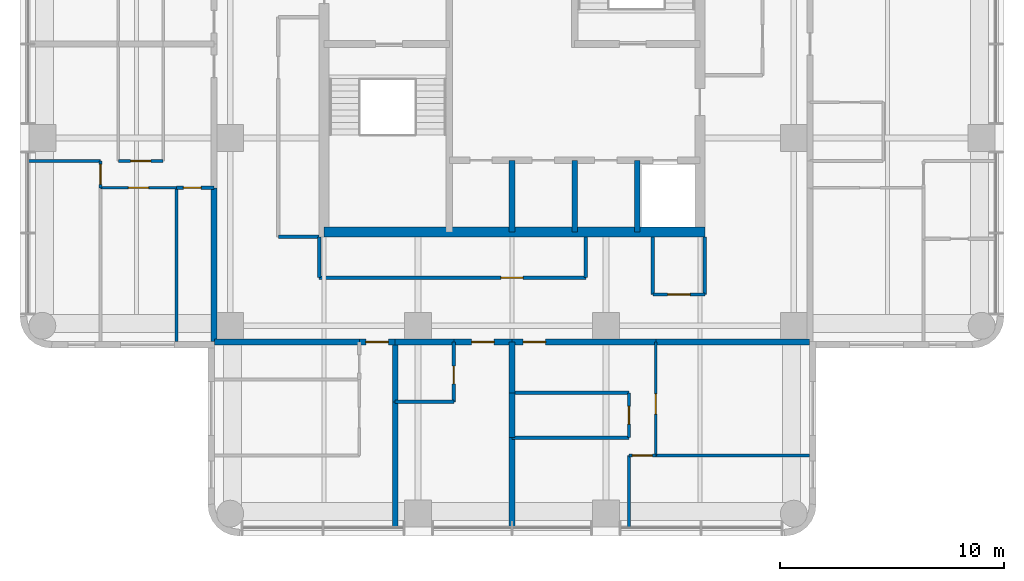
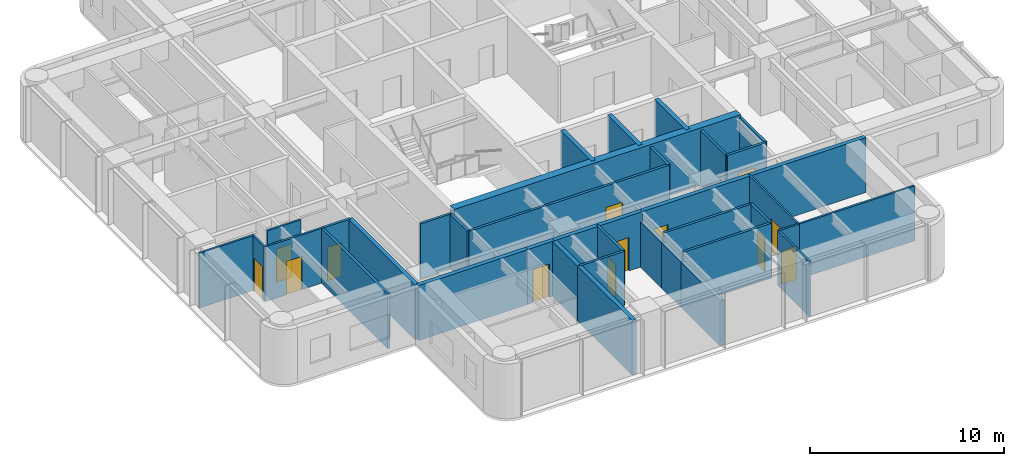
# One storey, part 4 of 9: 38 walls, 13 doors, 13 openings.
"""IFC4 building model written with IfcOpenShell, lengths in metres."""

from ifc_helpers import new_model, si_unit, direction, frame, frame_2d, origin, place, context, subcontext, project, spatial, rectangle, extrude, material, layer, layer_set, type_object, element, fill, save


model = new_model("IFC4")

# Units and contexts
model_context = context("Model", 3, precision=1e-05, world=origin(), true_north=direction((0.0, 1.0)))
body_context = subcontext(model_context, "Body", "Model", "MODEL_VIEW")
ifc_project = project(units=[si_unit("LENGTHUNIT", "METRE"), si_unit("AREAUNIT", "SQUARE_METRE"), si_unit("VOLUMEUNIT", "CUBIC_METRE"), si_unit("PLANEANGLEUNIT", "RADIAN"), si_unit("MASSUNIT", "GRAM", prefix="KILO")], contexts=[model_context])

# Site, building, storey
site_placement = place(None, origin())
site = spatial("IfcSite", under=ifc_project, at=site_placement, CompositionType="ELEMENT")
building_placement = place(site_placement, origin())
building = spatial("IfcBuilding", under=site, at=building_placement, Name="Torre Alcanfor", CompositionType="ELEMENT")
storey_placement = place(building_placement, frame((0.0, 0.0, 268.5)))
storey = spatial("IfcBuildingStorey", under=building, at=storey_placement, Name="L70", CompositionType="ELEMENT", Elevation=268.5)

# Wall, opening, door
ifc_material_1 = material(Name="Concrete block masonry, hollow blocks NMX-C-404 9 MPa", Category="masonry")
ifc_layer_1 = layer(ifc_material_1, 0.25)
ifc_layer_set_1 = layer_set([ifc_layer_1], Name="Apartment entrance wall 250 EI 60")
wall_type_1 = type_object("IfcWallType", Name="Apartment entrance wall 250 EI 60", PredefinedType="PARTITIONING", material=ifc_layer_set_1)
wall_1_placement = place(storey_placement, frame((35.8291015625, 16.074951171875, 0.0), z_axis=(0.0, 0.0, 1.0), x_axis=(-1.0, 0.0, 0.0)))
wall_1 = element("IfcWall", 1, at=wall_1_placement, inside=storey, type_object=wall_type_1, Name="Partition L70-CORR / L70-S1-LIVING", PredefinedType="PARTITIONING", context=body_context, shape_type="SweptSolid", body=[
    extrude(rectangle(XDim=6.42919921875, YDim=0.25, at=frame_2d((3.214599609375, 0.0))), origin(), (0.0, 0.0, 1.0), 3.449951171875),
])
opening_1_placement = place(wall_1_placement, frame((4.928955078125, 0.0, 0.0)))
opening_1 = element("IfcOpeningElement", 2, at=opening_1_placement, cuts=wall_1, Name="Opening D-A1", PredefinedType="OPENING", context=body_context, shape_type="SweptSolid", body=[
    extrude(rectangle(XDim=1.0, YDim=2.10009765625, at=frame_2d((0.5, 1.050048828125))), frame((0.0, 0.135009765625, 0.0), z_axis=(0.0, -1.0, 0.0), x_axis=(1.0, 0.0, 0.0)), (0.0, 0.0, 1.0), 0.27001953125),
])
ifc_material_2 = material(Name="Galvanised steel sheet ASTM A653", Category="steel")
door_type_1 = type_object("IfcDoorType", Name="Apartment entrance door FD60 1000x2100", OperationType="SINGLE_SWING_LEFT", PredefinedType="DOOR", material=ifc_material_2)
door_1_placement = place(opening_1_placement, origin())
door_1 = element("IfcDoor", 3, at=door_1_placement, inside=storey, type_object=door_type_1, Name="Apartment entrance L70-S1", OperationType="SINGLE_SWING_RIGHT", OverallHeight=2.10009765625, OverallWidth=1.0, PredefinedType="DOOR", context=body_context, shape_type="SweptSolid", body=[
    extrude(rectangle(XDim=1.0, YDim=2.10009765625, at=frame_2d((0.5, 1.050048828125))), frame((0.0, 0.02490234375, 0.0), z_axis=(0.0, -1.0, 0.0), x_axis=(1.0, 0.0, 0.0)), (0.0, 0.0, 1.0), 0.050048828125),
])
fill(opening_1, door_1)

# Wall
wall_2_placement = place(storey_placement, frame((42.699951171875, 16.074951171875, 0.0), z_axis=(0.0, 0.0, 1.0), x_axis=(-1.0, 0.0, 0.0)))
element("IfcWall", 4, at=wall_2_placement, inside=storey, type_object=wall_type_1, Name="Partition L70-CORR / L70-S1-BED2", PredefinedType="PARTITIONING", context=body_context, shape_type="SweptSolid", body=[
    extrude(rectangle(XDim=6.870849609375, YDim=0.25, at=frame_2d((3.435546875, 0.0))), origin(), (0.0, 0.0, 1.0), 3.449951171875),
])

# Wall, opening, door
wall_3_placement = place(storey_placement, frame((29.39990234375, 16.074951171875, 0.0), z_axis=(0.0, 0.0, 1.0), x_axis=(-1.0, 0.0, 0.0)))
wall_3 = element("IfcWall", 5, at=wall_3_placement, inside=storey, type_object=wall_type_1, Name="Partition L70-CORR / L70-S2A-STUDIO", PredefinedType="PARTITIONING", context=body_context, shape_type="SweptSolid", body=[
    extrude(rectangle(XDim=2.599853515625, YDim=0.25, at=frame_2d((1.2998046875, 0.0))), origin(), (0.0, 0.0, 1.0), 3.449951171875),
])
opening_2_placement = place(wall_3_placement, frame((0.800048828125, 0.0, 0.0)))
opening_2 = element("IfcOpeningElement", 6, at=opening_2_placement, cuts=wall_3, Name="Opening D-A1", PredefinedType="OPENING", context=body_context, shape_type="SweptSolid", body=[
    extrude(rectangle(XDim=1.0, YDim=2.10009765625, at=frame_2d((0.5, 1.050048828125))), frame((0.0, 0.135009765625, 0.0), z_axis=(0.0, -1.0, 0.0), x_axis=(1.0, 0.0, 0.0)), (0.0, 0.0, 1.0), 0.27001953125),
])
door_2_placement = place(opening_2_placement, origin())
door_2 = element("IfcDoor", 7, at=door_2_placement, inside=storey, type_object=door_type_1, Name="Apartment entrance L70-S2A", OperationType="SINGLE_SWING_LEFT", OverallHeight=2.10009765625, OverallWidth=1.0, PredefinedType="DOOR", context=body_context, shape_type="SweptSolid", body=[
    extrude(rectangle(XDim=1.0, YDim=2.10009765625, at=frame_2d((0.5, 1.050048828125))), frame((0.0, 0.02490234375, 0.0), z_axis=(0.0, -1.0, 0.0), x_axis=(1.0, 0.0, 0.0)), (0.0, 0.0, 1.0), 0.050048828125),
])
fill(opening_2, door_2)

# Wall
wall_4_placement = place(storey_placement, frame((26.800048828125, 16.074951171875, 0.0), z_axis=(0.0, 0.0, 1.0), x_axis=(-1.0, 0.0, 0.0)))
element("IfcWall", 8, at=wall_4_placement, inside=storey, type_object=wall_type_1, Name="Partition L70-CORR / L70-S2A-BATH", PredefinedType="PARTITIONING", context=body_context, shape_type="SweptSolid", body=[
    extrude(rectangle(XDim=2.629150390625, YDim=0.25, at=frame_2d((1.314453125, 0.0))), origin(), (0.0, 0.0, 1.0), 3.449951171875),
])

# Wall, opening, door
wall_5_placement = place(storey_placement, frame((24.1708984375, 16.074951171875, 0.0), z_axis=(0.0, 0.0, 1.0), x_axis=(-1.0, 0.0, 0.0)))
wall_5 = element("IfcWall", 9, at=wall_5_placement, inside=storey, type_object=wall_type_1, Name="Partition L70-CORR / L70-S2B-LIVING", PredefinedType="PARTITIONING", context=body_context, shape_type="SweptSolid", body=[
    extrude(rectangle(XDim=1.599853515625, YDim=0.25, at=frame_2d((0.7998046875, 0.0))), origin(), (0.0, 0.0, 1.0), 3.449951171875),
])
opening_3_placement = place(wall_5_placement, frame((0.300048828125, 0.0, 0.0)))
opening_3 = element("IfcOpeningElement", 10, at=opening_3_placement, cuts=wall_5, Name="Opening D-A1", PredefinedType="OPENING", context=body_context, shape_type="SweptSolid", body=[
    extrude(rectangle(XDim=1.0, YDim=2.10009765625, at=frame_2d((0.5, 1.050048828125))), frame((0.0, 0.135009765625, 0.0), z_axis=(0.0, -1.0, 0.0), x_axis=(1.0, 0.0, 0.0)), (0.0, 0.0, 1.0), 0.27001953125),
])
door_3_placement = place(opening_3_placement, origin())
door_3 = element("IfcDoor", 11, at=door_3_placement, inside=storey, type_object=door_type_1, Name="Apartment entrance L70-S2B", OperationType="SINGLE_SWING_LEFT", OverallHeight=2.10009765625, OverallWidth=1.0, PredefinedType="DOOR", context=body_context, shape_type="SweptSolid", body=[
    extrude(rectangle(XDim=1.0, YDim=2.10009765625, at=frame_2d((0.5, 1.050048828125))), frame((0.0, 0.02490234375, 0.0), z_axis=(0.0, -1.0, 0.0), x_axis=(1.0, 0.0, 0.0)), (0.0, 0.0, 1.0), 0.050048828125),
])
fill(opening_3, door_3)

# Walls
wall_6_placement = place(storey_placement, frame((22.571044921875, 16.074951171875, 0.0), z_axis=(0.0, 0.0, 1.0), x_axis=(-1.0, 0.0, 0.0)))
element("IfcWall", 12, at=wall_6_placement, inside=storey, type_object=wall_type_1, Name="Partition L70-CORR / L70-S2B-BATH", PredefinedType="PARTITIONING", context=body_context, shape_type="SweptSolid", body=[
    extrude(rectangle(XDim=6.470947265625, YDim=0.25, at=frame_2d((3.2353515625, 0.0))), origin(), (0.0, 0.0, 1.0), 3.449951171875),
])
wall_7_placement = place(storey_placement, frame((16.074951171875, 16.10009765625, 0.0), z_axis=(0.0, 0.0, 1.0), x_axis=(0.0, 1.0, 0.0)))
element("IfcWall", 13, at=wall_7_placement, inside=storey, type_object=wall_type_1, Name="Partition L70-CORR / L70-W1-BATH", PredefinedType="PARTITIONING", context=body_context, shape_type="SweptSolid", body=[
    extrude(rectangle(XDim=6.870849609375, YDim=0.25, at=frame_2d((3.435546875, 0.0))), origin(), (0.0, 0.0, 1.0), 3.449951171875),
])

# Wall, opening, door
ifc_material_3 = material(Name="Gypsum board on steel studs", Category="steel")
ifc_layer_2 = layer(ifc_material_3, 0.1201171875)
ifc_layer_set_2 = layer_set([ifc_layer_2], Name="Apartment partition 120")
wall_type_2 = type_object("IfcWallType", Name="Apartment partition 120", PredefinedType="PARTITIONING", material=ifc_layer_set_2)
wall_8_placement = place(storey_placement, frame((35.8291015625, 16.074951171875, 0.0), z_axis=(0.0, 0.0, 1.0), x_axis=(0.0, -1.0, 0.0)))
wall_8 = element("IfcWall", 14, at=wall_8_placement, inside=storey, type_object=wall_type_2, Name="Partition L70-S1-LIVING / L70-S1-BED2", PredefinedType="PARTITIONING", context=body_context, shape_type="SweptSolid", body=[
    extrude(rectangle(XDim=5.074951171875, YDim=0.1201171875, at=frame_2d((2.53759765625, 0.0))), origin(), (0.0, 0.0, 1.0), 3.449951171875),
])
opening_4_placement = place(wall_8_placement, frame((2.324951171875, 0.0, 0.0)))
opening_4 = element("IfcOpeningElement", 15, at=opening_4_placement, cuts=wall_8, Name="Opening D-R1", PredefinedType="OPENING", context=body_context, shape_type="SweptSolid", body=[
    extrude(rectangle(XDim=0.89990234375, YDim=2.10009765625, at=frame_2d((0.449951171875, 1.050048828125))), frame((0.0, 0.070068359375, 0.0), z_axis=(0.0, -1.0, 0.0), x_axis=(1.0, 0.0, 0.0)), (0.0, 0.0, 1.0), 0.14013671875),
])
ifc_material_4 = material(Name="Timber", Category="wood")
door_type_2 = type_object("IfcDoorType", Name="Internal door 900x2100", OperationType="SINGLE_SWING_LEFT", PredefinedType="DOOR", material=ifc_material_4)
door_4_placement = place(opening_4_placement, origin())
door_4 = element("IfcDoor", 16, at=door_4_placement, inside=storey, type_object=door_type_2, Name="Door L70-S1 bed2", OperationType="SINGLE_SWING_RIGHT", OverallHeight=2.10009765625, OverallWidth=0.89990234375, PredefinedType="DOOR", context=body_context, shape_type="SweptSolid", body=[
    extrude(rectangle(XDim=0.89990234375, YDim=2.10009765625, at=frame_2d((0.449951171875, 1.050048828125))), frame((0.0, 0.02490234375, 0.0), z_axis=(0.0, -1.0, 0.0), x_axis=(1.0, 0.0, 0.0)), (0.0, 0.0, 1.0), 0.050048828125),
])
fill(opening_4, door_4)

wall_9_placement = place(storey_placement, frame((35.8291015625, 11.0, 0.0), z_axis=(0.0, 0.0, 1.0), x_axis=(-1.0, 0.0, 0.0)))
wall_9 = element("IfcWall", 17, at=wall_9_placement, inside=storey, type_object=wall_type_2, Name="Partition L70-S1-LIVING / L70-S1-MASTER", PredefinedType="PARTITIONING", context=body_context, shape_type="SweptSolid", body=[
    extrude(rectangle(XDim=1.2001953125, YDim=0.1201171875, at=frame_2d((0.60009765625, 0.0))), origin(), (0.0, 0.0, 1.0), 3.449951171875),
])
opening_5_placement = place(wall_9_placement, frame((0.14892578125, 0.0, 0.0)))
opening_5 = element("IfcOpeningElement", 18, at=opening_5_placement, cuts=wall_9, Name="Opening D-R1", PredefinedType="OPENING", context=body_context, shape_type="SweptSolid", body=[
    extrude(rectangle(XDim=0.89990234375, YDim=2.10009765625, at=frame_2d((0.449951171875, 1.050048828125))), frame((0.0, 0.070068359375, 0.0), z_axis=(0.0, -1.0, 0.0), x_axis=(1.0, 0.0, 0.0)), (0.0, 0.0, 1.0), 0.14013671875),
])
door_5_placement = place(opening_5_placement, origin())
door_5 = element("IfcDoor", 19, at=door_5_placement, inside=storey, type_object=door_type_2, Name="Door L70-S1 master", OperationType="SINGLE_SWING_RIGHT", OverallHeight=2.10009765625, OverallWidth=0.89990234375, PredefinedType="DOOR", context=body_context, shape_type="SweptSolid", body=[
    extrude(rectangle(XDim=0.89990234375, YDim=2.10009765625, at=frame_2d((0.449951171875, 1.050048828125))), frame((0.0, 0.02490234375, 0.0), z_axis=(0.0, -1.0, 0.0), x_axis=(1.0, 0.0, 0.0)), (0.0, 0.0, 1.0), 0.050048828125),
])
fill(opening_5, door_5)

# Walls
wall_10_placement = place(storey_placement, frame((34.62890625, 11.0, 0.0), z_axis=(0.0, 0.0, 1.0), x_axis=(0.0, -1.0, 0.0)))
element("IfcWall", 20, at=wall_10_placement, inside=storey, type_object=wall_type_2, Name="Partition L70-S1-LIVING / L70-S1-MASTER", PredefinedType="PARTITIONING", context=body_context, shape_type="SweptSolid", body=[
    extrude(rectangle(XDim=3.25, YDim=0.1201171875, at=frame_2d((1.625, 0.0))), origin(), (0.0, 0.0, 1.0), 3.449951171875),
])
wall_11_placement = place(storey_placement, frame((35.8291015625, 11.0, 0.0), z_axis=(0.0, 0.0, 1.0), x_axis=(1.0, 0.0, 0.0)))
element("IfcWall", 21, at=wall_11_placement, inside=storey, type_object=wall_type_2, Name="Partition L70-S1-BED2 / L70-S1-MASTER", PredefinedType="PARTITIONING", context=body_context, shape_type="SweptSolid", body=[
    extrude(rectangle(XDim=6.870849609375, YDim=0.1201171875, at=frame_2d((3.435546875, 0.0))), origin(), (0.0, 0.0, 1.0), 3.449951171875),
])

# Wall, opening, door
wall_12_placement = place(storey_placement, frame((11.800048828125, 24.1708984375, 0.0), z_axis=(0.0, 0.0, 1.0), x_axis=(1.0, 0.0, 0.0)))
wall_12 = element("IfcWall", 22, at=wall_12_placement, inside=storey, type_object=wall_type_2, Name="Partition L70-W1-KITCHEN / L70-W1-LIVING", PredefinedType="PARTITIONING", context=body_context, shape_type="SweptSolid", body=[
    extrude(rectangle(XDim=2.0, YDim=0.1201171875, at=frame_2d((1.0, 0.0))), origin(), (0.0, 0.0, 1.0), 3.449951171875),
])
opening_6_placement = place(wall_12_placement, frame((0.550048828125, 0.0, 0.0)))
opening_6 = element("IfcOpeningElement", 23, at=opening_6_placement, cuts=wall_12, Name="Opening D-R1", PredefinedType="OPENING", context=body_context, shape_type="SweptSolid", body=[
    extrude(rectangle(XDim=0.89990234375, YDim=2.10009765625, at=frame_2d((0.449951171875, 1.050048828125))), frame((0.0, 0.070068359375, 0.0), z_axis=(0.0, -1.0, 0.0), x_axis=(1.0, 0.0, 0.0)), (0.0, 0.0, 1.0), 0.14013671875),
])
door_6_placement = place(opening_6_placement, origin())
door_6 = element("IfcDoor", 24, at=door_6_placement, inside=storey, type_object=door_type_2, Name="Door L70-W1 kitchen", OperationType="SINGLE_SWING_LEFT", OverallHeight=2.10009765625, OverallWidth=0.89990234375, PredefinedType="DOOR", context=body_context, shape_type="SweptSolid", body=[
    extrude(rectangle(XDim=0.89990234375, YDim=2.10009765625, at=frame_2d((0.449951171875, 1.050048828125))), frame((0.0, 0.02490234375, 0.0), z_axis=(0.0, -1.0, 0.0), x_axis=(1.0, 0.0, 0.0)), (0.0, 0.0, 1.0), 0.050048828125),
])
fill(opening_6, door_6)

wall_13_placement = place(storey_placement, frame((14.39990234375, 22.970947265625, 0.0), z_axis=(0.0, 0.0, 1.0), x_axis=(-1.0, 0.0, 0.0)))
wall_13 = element("IfcWall", 25, at=wall_13_placement, inside=storey, type_object=wall_type_2, Name="Partition L70-W1-LIVING / L70-W1-STUDY", PredefinedType="PARTITIONING", context=body_context, shape_type="SweptSolid", body=[
    extrude(rectangle(XDim=3.39990234375, YDim=0.1201171875, at=frame_2d((1.699951171875, 0.0))), origin(), (0.0, 0.0, 1.0), 3.449951171875),
])
opening_7_placement = place(wall_13_placement, frame((1.25, 0.0, 0.0)))
opening_7 = element("IfcOpeningElement", 26, at=opening_7_placement, cuts=wall_13, Name="Opening D-R1", PredefinedType="OPENING", context=body_context, shape_type="SweptSolid", body=[
    extrude(rectangle(XDim=0.89990234375, YDim=2.10009765625, at=frame_2d((0.449951171875, 1.050048828125))), frame((0.0, 0.070068359375, 0.0), z_axis=(0.0, -1.0, 0.0), x_axis=(1.0, 0.0, 0.0)), (0.0, 0.0, 1.0), 0.14013671875),
])
door_7_placement = place(opening_7_placement, origin())
door_7 = element("IfcDoor", 27, at=door_7_placement, inside=storey, type_object=door_type_2, Name="Door L70-W1 study", OperationType="SINGLE_SWING_LEFT", OverallHeight=2.10009765625, OverallWidth=0.89990234375, PredefinedType="DOOR", context=body_context, shape_type="SweptSolid", body=[
    extrude(rectangle(XDim=0.89990234375, YDim=2.10009765625, at=frame_2d((0.449951171875, 1.050048828125))), frame((0.0, 0.02490234375, 0.0), z_axis=(0.0, -1.0, 0.0), x_axis=(1.0, 0.0, 0.0)), (0.0, 0.0, 1.0), 0.050048828125),
])
fill(opening_7, door_7)

wall_14_placement = place(storey_placement, frame((11.0, 22.970947265625, 0.0), z_axis=(0.0, 0.0, 1.0), x_axis=(0.0, 1.0, 0.0)))
wall_14 = element("IfcWall", 28, at=wall_14_placement, inside=storey, type_object=wall_type_2, Name="Partition L70-W1-LIVING / L70-W1-MASTER", PredefinedType="PARTITIONING", context=body_context, shape_type="SweptSolid", body=[
    extrude(rectangle(XDim=1.199951171875, YDim=0.1201171875, at=frame_2d((0.60009765625, 0.0))), origin(), (0.0, 0.0, 1.0), 3.449951171875),
])
opening_8_placement = place(wall_14_placement, frame((0.14892578125, 0.0, 0.0)))
opening_8 = element("IfcOpeningElement", 29, at=opening_8_placement, cuts=wall_14, Name="Opening D-R1", PredefinedType="OPENING", context=body_context, shape_type="SweptSolid", body=[
    extrude(rectangle(XDim=0.89990234375, YDim=2.10009765625, at=frame_2d((0.449951171875, 1.050048828125))), frame((0.0, 0.070068359375, 0.0), z_axis=(0.0, -1.0, 0.0), x_axis=(1.0, 0.0, 0.0)), (0.0, 0.0, 1.0), 0.14013671875),
])
door_8_placement = place(opening_8_placement, origin())
door_8 = element("IfcDoor", 30, at=door_8_placement, inside=storey, type_object=door_type_2, Name="Door L70-W1 master", OperationType="SINGLE_SWING_RIGHT", OverallHeight=2.10009765625, OverallWidth=0.89990234375, PredefinedType="DOOR", context=body_context, shape_type="SweptSolid", body=[
    extrude(rectangle(XDim=0.89990234375, YDim=2.10009765625, at=frame_2d((0.449951171875, 1.050048828125))), frame((0.0, 0.02490234375, 0.0), z_axis=(0.0, -1.0, 0.0), x_axis=(1.0, 0.0, 0.0)), (0.0, 0.0, 1.0), 0.050048828125),
])
fill(opening_8, door_8)

# Walls
wall_15_placement = place(storey_placement, frame((11.0, 24.1708984375, 0.0), z_axis=(0.0, 0.0, 1.0), x_axis=(-1.0, 0.0, 0.0)))
element("IfcWall", 31, at=wall_15_placement, inside=storey, type_object=wall_type_2, Name="Partition L70-W1-LIVING / L70-W1-MASTER", PredefinedType="PARTITIONING", context=body_context, shape_type="SweptSolid", body=[
    extrude(rectangle(XDim=3.25, YDim=0.1201171875, at=frame_2d((1.625, 0.0))), origin(), (0.0, 0.0, 1.0), 3.449951171875),
])
ifc_material_5 = material(Name="Concrete f'c 70 MPa", Category="concrete")
ifc_layer_3 = layer(ifc_material_5, 0.25)
ifc_layer_set_3 = layer_set([ifc_layer_3], Name="Core shaft wall 250 f'c70")
wall_type_3 = type_object("IfcWallType", Name="Core shaft wall 250 f'c70", PredefinedType="SHEAR", material=ifc_layer_set_3)
for number, where, z_axis, x_axis, name in (
    (32, (29.39990234375, 21.0, 0.0), (0.0, 0.0, 1.0), (0.0, 1.0, 0.0), "Core wall X294S L70"),
    (33, (32.199951171875, 21.0, 0.0), (0.0, 0.0, 1.0), (0.0, 1.0, 0.0), "Core wall X322S L70"),
    (34, (35.0, 21.0, 0.0), (0.0, 0.0, 1.0), (0.0, 1.0, 0.0), "Core wall X350S L70"),
):
    element("IfcWall", number, at=place(storey_placement, frame(where, z_axis=z_axis, x_axis=x_axis)), inside=storey, type_object=wall_type_3, Name=name, PredefinedType="SHEAR", context=body_context, shape_type="SweptSolid", body=[
        extrude(rectangle(XDim=3.199951171875, YDim=0.25, at=frame_2d((1.60009765625, 0.0))), origin(), (0.0, 0.0, 1.0), 3.60009765625),
    ])
ifc_material_6 = material(Name="Concrete f'c 70 MPa", Category="concrete")
ifc_layer_4 = layer(ifc_material_6, 0.449951171875)
ifc_layer_set_4 = layer_set([ifc_layer_4], Name="Core wall 450 f'c70")
wall_type_4 = type_object("IfcWallType", Name="Core wall 450 f'c70", PredefinedType="SHEAR", material=ifc_layer_set_4)
wall_16_placement = place(storey_placement, frame((21.0, 21.0, 0.0), z_axis=(0.0, 0.0, 1.0), x_axis=(1.0, 0.0, 0.0)))
element("IfcWall", 35, at=wall_16_placement, inside=storey, type_object=wall_type_4, Name="Core wall OUT-S L70", PredefinedType="SHEAR", context=body_context, shape_type="SweptSolid", body=[
    extrude(rectangle(XDim=17.02490234375, YDim=0.449951171875, at=frame_2d((8.512451171875, 0.0))), origin(), (0.0, 0.0, 1.0), 3.60009765625),
])
ifc_material_7 = material(Name="Concrete block masonry, hollow blocks NMX-C-404 9 MPa", Category="masonry")
ifc_layer_5 = layer(ifc_material_7, 0.25)
ifc_layer_set_5 = layer_set([ifc_layer_5], Name="Party wall 250 EI 60")
wall_type_5 = type_object("IfcWallType", Name="Party wall 250 EI 60", PredefinedType="PARTITIONING", material=ifc_layer_set_5)
wall_17_placement = place(storey_placement, frame((29.39990234375, 13.800048828125, 0.0), z_axis=(0.0, 0.0, 1.0), x_axis=(0.0, -1.0, 0.0)))
element("IfcWall", 36, at=wall_17_placement, inside=storey, type_object=wall_type_5, Name="Partition L70-S1-BATH / L70-S2A-STUDIO", PredefinedType="PARTITIONING", context=body_context, shape_type="SweptSolid", body=[
    extrude(rectangle(XDim=2.0, YDim=0.25, at=frame_2d((1.0, 0.0))), origin(), (0.0, 0.0, 1.0), 2.847900390625),
])
wall_18_placement = place(storey_placement, frame((29.39990234375, 7.75, 0.0), z_axis=(0.0, 0.0, 1.0), x_axis=(0.0, 1.0, 0.0)))
element("IfcWall", 37, at=wall_18_placement, inside=storey, type_object=wall_type_5, Name="Partition L70-S1-LIVING / L70-S2A-STUDIO", PredefinedType="PARTITIONING", context=body_context, shape_type="SweptSolid", body=[
    extrude(rectangle(XDim=4.050048828125, YDim=0.25, at=frame_2d((2.02490234375, 0.0))), origin(), (0.0, 0.0, 1.0), 2.847900390625),
])
wall_19_placement = place(storey_placement, frame((29.39990234375, 13.800048828125, 0.0), z_axis=(0.0, 0.0, 1.0), x_axis=(0.0, 1.0, 0.0)))
element("IfcWall", 38, at=wall_19_placement, inside=storey, type_object=wall_type_5, Name="Partition L70-S1-LIVING / L70-S2A-STUDIO", PredefinedType="PARTITIONING", context=body_context, shape_type="SweptSolid", body=[
    extrude(rectangle(XDim=2.27490234375, YDim=0.25, at=frame_2d((1.137451171875, 0.0))), origin(), (0.0, 0.0, 1.0), 2.847900390625),
])
wall_20_placement = place(storey_placement, frame((24.1708984375, 7.75, 0.0), z_axis=(0.0, 0.0, 1.0), x_axis=(0.0, 1.0, 0.0)))
element("IfcWall", 39, at=wall_20_placement, inside=storey, type_object=wall_type_5, Name="Partition L70-S2A-STUDIO / L70-S2B-LIVING", PredefinedType="PARTITIONING", context=body_context, shape_type="SweptSolid", body=[
    extrude(rectangle(XDim=5.64990234375, YDim=0.25, at=frame_2d((2.824951171875, 0.0))), origin(), (0.0, 0.0, 1.0), 3.449951171875),
])
wall_21_placement = place(storey_placement, frame((24.1708984375, 13.39990234375, 0.0), z_axis=(0.0, 0.0, 1.0), x_axis=(0.0, 1.0, 0.0)))
element("IfcWall", 40, at=wall_21_placement, inside=storey, type_object=wall_type_5, Name="Partition L70-S2A-BATH / L70-S2B-LIVING", PredefinedType="PARTITIONING", context=body_context, shape_type="SweptSolid", body=[
    extrude(rectangle(XDim=2.675048828125, YDim=0.25, at=frame_2d((1.33740234375, 0.0))), origin(), (0.0, 0.0, 1.0), 3.449951171875),
])
ifc_material_8 = material(Name="Concrete block masonry, hollow blocks NMX-C-404 9 MPa", Category="masonry")
ifc_layer_6 = layer(ifc_material_8, 0.14990234375)
ifc_layer_set_6 = layer_set([ifc_layer_6], Name="Residents' room partition 150")
wall_type_6 = type_object("IfcWallType", Name="Residents' room partition 150", PredefinedType="PARTITIONING", material=ifc_layer_set_6)
wall_22_placement = place(storey_placement, frame((20.77490234375, 20.77490234375, 0.0), z_axis=(0.0, 0.0, 1.0), x_axis=(0.0, -1.0, 0.0)))
element("IfcWall", 41, at=wall_22_placement, inside=storey, type_object=wall_type_6, Name="Partition L70-CORR / L70-G05", PredefinedType="PARTITIONING", context=body_context, shape_type="SweptSolid", body=[
    extrude(rectangle(XDim=1.824951171875, YDim=0.14990234375, at=frame_2d((0.91259765625, 0.0))), origin(), (0.0, 0.0, 1.0), 3.449951171875),
])

# Wall, opening, door
wall_23_placement = place(storey_placement, frame((20.77490234375, 18.949951171875, 0.0), z_axis=(0.0, 0.0, 1.0), x_axis=(1.0, 0.0, 0.0)))
wall_23 = element("IfcWall", 42, at=wall_23_placement, inside=storey, type_object=wall_type_6, Name="Partition L70-CORR / L70-G05", PredefinedType="PARTITIONING", context=body_context, shape_type="SweptSolid", body=[
    extrude(rectangle(XDim=11.925048828125, YDim=0.14990234375, at=frame_2d((5.96240234375, 0.0))), origin(), (0.0, 0.0, 1.0), 3.449951171875),
])
opening_9_placement = place(wall_23_placement, frame((8.125, 0.0, 0.0)))
opening_9 = element("IfcOpeningElement", 43, at=opening_9_placement, cuts=wall_23, Name="Opening D-M1", PredefinedType="OPENING", context=body_context, shape_type="SweptSolid", body=[
    extrude(rectangle(XDim=1.0, YDim=2.10009765625, at=frame_2d((0.5, 1.050048828125))), frame((0.0, 0.0849609375, 0.0), z_axis=(0.0, -1.0, 0.0), x_axis=(1.0, 0.0, 0.0)), (0.0, 0.0, 1.0), 0.169921875),
])
ifc_material_9 = material(Name="Timber", Category="wood")
door_type_3 = type_object("IfcDoorType", Name="Residents' room door 1000x2100", OperationType="SINGLE_SWING_LEFT", PredefinedType="DOOR", material=ifc_material_9)
door_9_placement = place(opening_9_placement, origin())
door_9 = element("IfcDoor", 44, at=door_9_placement, inside=storey, type_object=door_type_3, Name="Door L70-G05 residents' lockers", OperationType="SINGLE_SWING_RIGHT", OverallHeight=2.10009765625, OverallWidth=1.0, PredefinedType="DOOR", context=body_context, shape_type="SweptSolid", body=[
    extrude(rectangle(XDim=1.0, YDim=2.10009765625, at=frame_2d((0.5, 1.050048828125))), frame((0.0, 0.02490234375, 0.0), z_axis=(0.0, -1.0, 0.0), x_axis=(1.0, 0.0, 0.0)), (0.0, 0.0, 1.0), 0.050048828125),
])
fill(opening_9, door_9)

# Walls
wall_24_placement = place(storey_placement, frame((32.699951171875, 18.949951171875, 0.0), z_axis=(0.0, 0.0, 1.0), x_axis=(0.0, 1.0, 0.0)))
element("IfcWall", 45, at=wall_24_placement, inside=storey, type_object=wall_type_6, Name="Partition L70-CORR / L70-G05", PredefinedType="PARTITIONING", context=body_context, shape_type="SweptSolid", body=[
    extrude(rectangle(XDim=1.824951171875, YDim=0.14990234375, at=frame_2d((0.91259765625, 0.0))), origin(), (0.0, 0.0, 1.0), 3.449951171875),
])
wall_25_placement = place(storey_placement, frame((35.699951171875, 20.77490234375, 0.0), z_axis=(0.0, 0.0, 1.0), x_axis=(0.0, -1.0, 0.0)))
element("IfcWall", 46, at=wall_25_placement, inside=storey, type_object=wall_type_6, Name="Partition L70-CORR / L70-G06", PredefinedType="PARTITIONING", context=body_context, shape_type="SweptSolid", body=[
    extrude(rectangle(XDim=2.574951171875, YDim=0.14990234375, at=frame_2d((1.28759765625, 0.0))), origin(), (0.0, 0.0, 1.0), 3.449951171875),
])

# Wall, opening, door
wall_26_placement = place(storey_placement, frame((35.699951171875, 18.199951171875, 0.0), z_axis=(0.0, 0.0, 1.0), x_axis=(1.0, 0.0, 0.0)))
wall_26 = element("IfcWall", 47, at=wall_26_placement, inside=storey, type_object=wall_type_6, Name="Partition L70-CORR / L70-G06", PredefinedType="PARTITIONING", context=body_context, shape_type="SweptSolid", body=[
    extrude(rectangle(XDim=2.324951171875, YDim=0.14990234375, at=frame_2d((1.16259765625, 0.0))), origin(), (0.0, 0.0, 1.0), 3.449951171875),
])
opening_10_placement = place(wall_26_placement, frame((0.66259765625, 0.0, 0.0)))
opening_10 = element("IfcOpeningElement", 48, at=opening_10_placement, cuts=wall_26, Name="Opening D-M1", PredefinedType="OPENING", context=body_context, shape_type="SweptSolid", body=[
    extrude(rectangle(XDim=1.0, YDim=2.10009765625, at=frame_2d((0.5, 1.050048828125))), frame((0.0, 0.0849609375, 0.0), z_axis=(0.0, -1.0, 0.0), x_axis=(1.0, 0.0, 0.0)), (0.0, 0.0, 1.0), 0.169921875),
])
door_10_placement = place(opening_10_placement, origin())
door_10 = element("IfcDoor", 49, at=door_10_placement, inside=storey, type_object=door_type_3, Name="Door L70-G06 parcel room", OperationType="SINGLE_SWING_LEFT", OverallHeight=2.10009765625, OverallWidth=1.0, PredefinedType="DOOR", context=body_context, shape_type="SweptSolid", body=[
    extrude(rectangle(XDim=1.0, YDim=2.10009765625, at=frame_2d((0.5, 1.050048828125))), frame((0.0, 0.02490234375, 0.0), z_axis=(0.0, -1.0, 0.0), x_axis=(1.0, 0.0, 0.0)), (0.0, 0.0, 1.0), 0.050048828125),
])
fill(opening_10, door_10)

# Walls
wall_27_placement = place(storey_placement, frame((38.02490234375, 18.199951171875, 0.0), z_axis=(0.0, 0.0, 1.0), x_axis=(0.0, 1.0, 0.0)))
element("IfcWall", 50, at=wall_27_placement, inside=storey, type_object=wall_type_6, Name="Partition L70-CORR / L70-G06", PredefinedType="PARTITIONING", context=body_context, shape_type="SweptSolid", body=[
    extrude(rectangle(XDim=2.574951171875, YDim=0.14990234375, at=frame_2d((1.28759765625, 0.0))), origin(), (0.0, 0.0, 1.0), 3.449951171875),
])
wall_28_placement = place(storey_placement, frame((18.949951171875, 20.77490234375, 0.0), z_axis=(0.0, 0.0, 1.0), x_axis=(1.0, 0.0, 0.0)))
element("IfcWall", 51, at=wall_28_placement, inside=storey, type_object=wall_type_6, Name="Partition L70-CORR / L70-G07", PredefinedType="PARTITIONING", context=body_context, shape_type="SweptSolid", body=[
    extrude(rectangle(XDim=1.824951171875, YDim=0.14990234375, at=frame_2d((0.91259765625, 0.0))), origin(), (0.0, 0.0, 1.0), 3.449951171875),
])
ifc_material_10 = material(Name="Cement board on steel studs", Category="steel")
ifc_layer_7 = layer(ifc_material_10, 0.14990234375)
ifc_layer_set_7 = layer_set([ifc_layer_7], Name="Wet area partition 150")
wall_type_7 = type_object("IfcWallType", Name="Wet area partition 150", PredefinedType="PARTITIONING", material=ifc_layer_set_7)
wall_29_placement = place(storey_placement, frame((29.39990234375, 11.800048828125, 0.0), z_axis=(0.0, 0.0, 1.0), x_axis=(1.0, 0.0, 0.0)))
element("IfcWall", 52, at=wall_29_placement, inside=storey, type_object=wall_type_7, Name="Partition L70-S1-BATH / L70-S1-LIVING", PredefinedType="PARTITIONING", context=body_context, shape_type="SweptSolid", body=[
    extrude(rectangle(XDim=5.22900390625, YDim=0.14990234375, at=frame_2d((2.614501953125, 0.0))), origin(), (0.0, 0.0, 1.0), 3.449951171875),
])

# Wall, opening, door
wall_30_placement = place(storey_placement, frame((34.62890625, 11.800048828125, 0.0), z_axis=(0.0, 0.0, 1.0), x_axis=(0.0, 1.0, 0.0)))
wall_30 = element("IfcWall", 53, at=wall_30_placement, inside=storey, type_object=wall_type_7, Name="Partition L70-S1-BATH / L70-S1-LIVING", PredefinedType="PARTITIONING", context=body_context, shape_type="SweptSolid", body=[
    extrude(rectangle(XDim=2.0, YDim=0.14990234375, at=frame_2d((1.0, 0.0))), origin(), (0.0, 0.0, 1.0), 3.449951171875),
])
opening_11_placement = place(wall_30_placement, frame((0.60009765625, 0.0, 0.0)))
opening_11 = element("IfcOpeningElement", 54, at=opening_11_placement, cuts=wall_30, Name="Opening D-R2", PredefinedType="OPENING", context=body_context, shape_type="SweptSolid", body=[
    extrude(rectangle(XDim=0.800048828125, YDim=2.10009765625, at=frame_2d((0.39990234375, 1.050048828125))), frame((0.0, 0.0849609375, 0.0), z_axis=(0.0, -1.0, 0.0), x_axis=(1.0, 0.0, 0.0)), (0.0, 0.0, 1.0), 0.169921875),
])
ifc_material_11 = material(Name="Timber", Category="wood")
door_type_4 = type_object("IfcDoorType", Name="Bathroom door 800x2100", OperationType="SINGLE_SWING_LEFT", PredefinedType="DOOR", material=ifc_material_11)
door_11_placement = place(opening_11_placement, origin())
door_11 = element("IfcDoor", 55, at=door_11_placement, inside=storey, type_object=door_type_4, Name="Door L70-S1 bath", OperationType="SINGLE_SWING_LEFT", OverallHeight=2.10009765625, OverallWidth=0.800048828125, PredefinedType="DOOR", context=body_context, shape_type="SweptSolid", body=[
    extrude(rectangle(XDim=0.800048828125, YDim=2.10009765625, at=frame_2d((0.39990234375, 1.050048828125))), frame((0.0, 0.02490234375, 0.0), z_axis=(0.0, -1.0, 0.0), x_axis=(1.0, 0.0, 0.0)), (0.0, 0.0, 1.0), 0.050048828125),
])
fill(opening_11, door_11)

# Walls
wall_31_placement = place(storey_placement, frame((34.62890625, 13.800048828125, 0.0), z_axis=(0.0, 0.0, 1.0), x_axis=(-1.0, 0.0, 0.0)))
element("IfcWall", 56, at=wall_31_placement, inside=storey, type_object=wall_type_7, Name="Partition L70-S1-BATH / L70-S1-LIVING", PredefinedType="PARTITIONING", context=body_context, shape_type="SweptSolid", body=[
    extrude(rectangle(XDim=5.22900390625, YDim=0.14990234375, at=frame_2d((2.614501953125, 0.0))), origin(), (0.0, 0.0, 1.0), 3.449951171875),
])
wall_32_placement = place(storey_placement, frame((24.1708984375, 13.39990234375, 0.0), z_axis=(0.0, 0.0, 1.0), x_axis=(1.0, 0.0, 0.0)))
element("IfcWall", 57, at=wall_32_placement, inside=storey, type_object=wall_type_7, Name="Partition L70-S2A-STUDIO / L70-S2A-BATH", PredefinedType="PARTITIONING", context=body_context, shape_type="SweptSolid", body=[
    extrude(rectangle(XDim=2.629150390625, YDim=0.14990234375, at=frame_2d((1.314453125, 0.0))), origin(), (0.0, 0.0, 1.0), 3.449951171875),
])

# Wall, opening, door
wall_33_placement = place(storey_placement, frame((26.800048828125, 13.39990234375, 0.0), z_axis=(0.0, 0.0, 1.0), x_axis=(0.0, 1.0, 0.0)))
wall_33 = element("IfcWall", 58, at=wall_33_placement, inside=storey, type_object=wall_type_7, Name="Partition L70-S2A-STUDIO / L70-S2A-BATH", PredefinedType="PARTITIONING", context=body_context, shape_type="SweptSolid", body=[
    extrude(rectangle(XDim=2.675048828125, YDim=0.14990234375, at=frame_2d((1.33740234375, 0.0))), origin(), (0.0, 0.0, 1.0), 3.449951171875),
])
opening_12_placement = place(wall_33_placement, frame((0.800048828125, 0.0, 0.0)))
opening_12 = element("IfcOpeningElement", 59, at=opening_12_placement, cuts=wall_33, Name="Opening D-R2", PredefinedType="OPENING", context=body_context, shape_type="SweptSolid", body=[
    extrude(rectangle(XDim=0.800048828125, YDim=2.10009765625, at=frame_2d((0.39990234375, 1.050048828125))), frame((0.0, 0.0849609375, 0.0), z_axis=(0.0, -1.0, 0.0), x_axis=(1.0, 0.0, 0.0)), (0.0, 0.0, 1.0), 0.169921875),
])
door_12_placement = place(opening_12_placement, origin())
door_12 = element("IfcDoor", 60, at=door_12_placement, inside=storey, type_object=door_type_4, Name="Door L70-S2A bath", OperationType="SINGLE_SWING_LEFT", OverallHeight=2.10009765625, OverallWidth=0.800048828125, PredefinedType="DOOR", context=body_context, shape_type="SweptSolid", body=[
    extrude(rectangle(XDim=0.800048828125, YDim=2.10009765625, at=frame_2d((0.39990234375, 1.050048828125))), frame((0.0, 0.02490234375, 0.0), z_axis=(0.0, -1.0, 0.0), x_axis=(1.0, 0.0, 0.0)), (0.0, 0.0, 1.0), 0.050048828125),
])
fill(opening_12, door_12)

wall_34_placement = place(storey_placement, frame((16.074951171875, 22.970947265625, 0.0), z_axis=(0.0, 0.0, 1.0), x_axis=(-1.0, 0.0, 0.0)))
wall_34 = element("IfcWall", 61, at=wall_34_placement, inside=storey, type_object=wall_type_7, Name="Partition L70-W1-LIVING / L70-W1-BATH", PredefinedType="PARTITIONING", context=body_context, shape_type="SweptSolid", body=[
    extrude(rectangle(XDim=1.675048828125, YDim=0.14990234375, at=frame_2d((0.83740234375, 0.0))), origin(), (0.0, 0.0, 1.0), 3.449951171875),
])
opening_13_placement = place(wall_34_placement, frame((0.574951171875, 0.0, 0.0)))
opening_13 = element("IfcOpeningElement", 62, at=opening_13_placement, cuts=wall_34, Name="Opening D-R2", PredefinedType="OPENING", context=body_context, shape_type="SweptSolid", body=[
    extrude(rectangle(XDim=0.800048828125, YDim=2.10009765625, at=frame_2d((0.39990234375, 1.050048828125))), frame((0.0, 0.0849609375, 0.0), z_axis=(0.0, -1.0, 0.0), x_axis=(1.0, 0.0, 0.0)), (0.0, 0.0, 1.0), 0.169921875),
])
door_13_placement = place(opening_13_placement, origin())
door_13 = element("IfcDoor", 63, at=door_13_placement, inside=storey, type_object=door_type_4, Name="Door L70-W1 bath", OperationType="SINGLE_SWING_RIGHT", OverallHeight=2.10009765625, OverallWidth=0.800048828125, PredefinedType="DOOR", context=body_context, shape_type="SweptSolid", body=[
    extrude(rectangle(XDim=0.800048828125, YDim=2.10009765625, at=frame_2d((0.39990234375, 1.050048828125))), frame((0.0, 0.02490234375, 0.0), z_axis=(0.0, -1.0, 0.0), x_axis=(1.0, 0.0, 0.0)), (0.0, 0.0, 1.0), 0.050048828125),
])
fill(opening_13, door_13)

# Wall
wall_35_placement = place(storey_placement, frame((14.39990234375, 22.970947265625, 0.0), z_axis=(0.0, 0.0, 1.0), x_axis=(0.0, -1.0, 0.0)))
element("IfcWall", 64, at=wall_35_placement, inside=storey, type_object=wall_type_7, Name="Partition L70-W1-BATH / L70-W1-STUDY", PredefinedType="PARTITIONING", context=body_context, shape_type="SweptSolid", body=[
    extrude(rectangle(XDim=6.870849609375, YDim=0.14990234375, at=frame_2d((3.435546875, 0.0))), origin(), (0.0, 0.0, 1.0), 3.449951171875),
])

save(model, "model.ifc")
